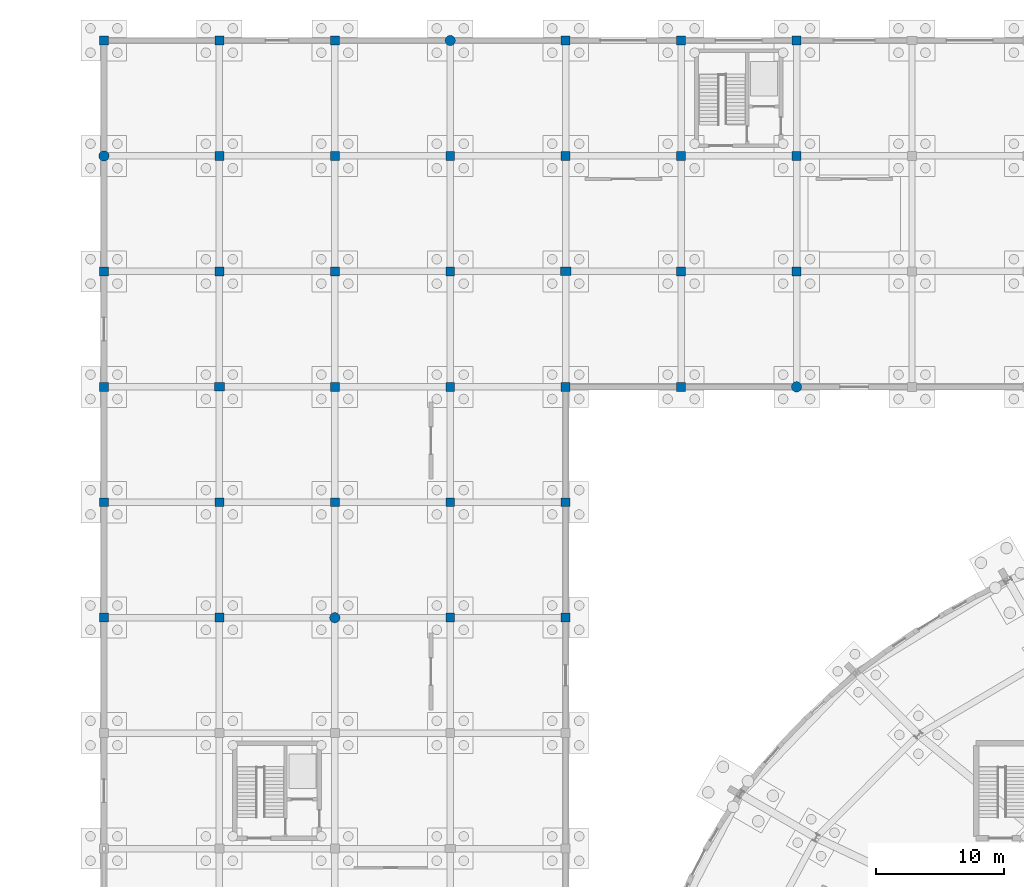
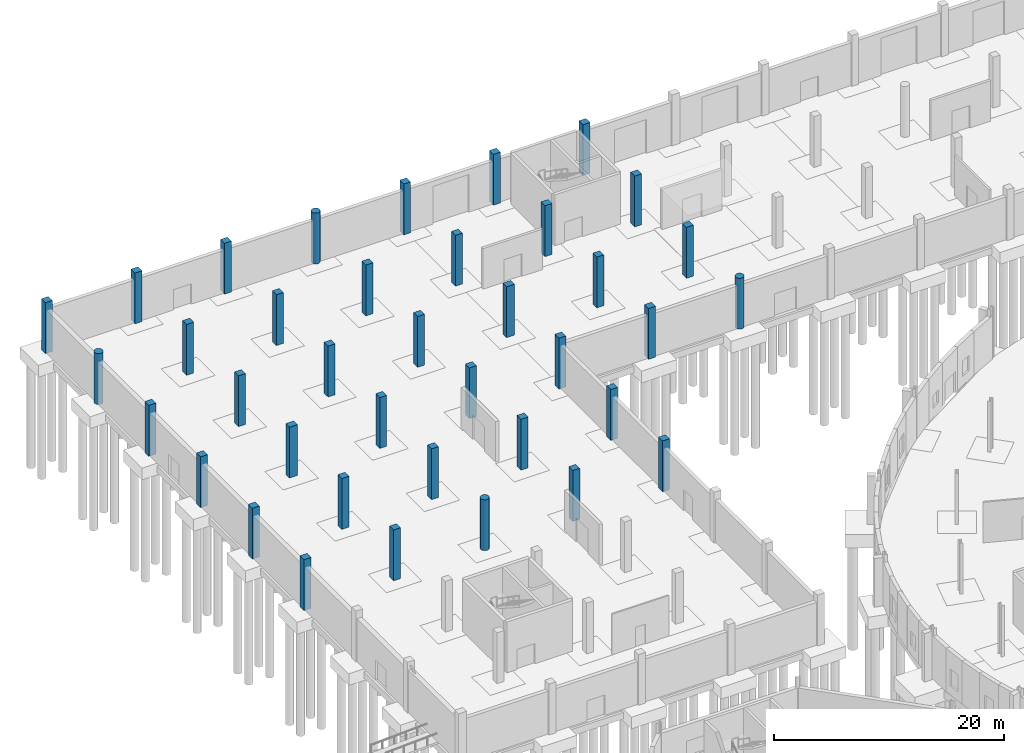
# One storey, part 44 of 118: 38 columns.
"""IFC4 building model written with IfcOpenShell, lengths in metres."""

from ifc_helpers import new_model, si_unit, direction, frame, origin, origin_2d, place, context, subcontext, project, spatial, rectangle, circle, extrude, material, material_profile, profile_set, type_object, element, save


model = new_model("IFC4")

# Units and contexts
model_context = context("Model", 3, precision=1e-05, world=origin(), true_north=direction((0.0, 1.0)))
body_context = subcontext(model_context, "Body", "Model", "MODEL_VIEW")
ifc_project = project(units=[si_unit("LENGTHUNIT", "METRE"), si_unit("AREAUNIT", "SQUARE_METRE"), si_unit("VOLUMEUNIT", "CUBIC_METRE"), si_unit("PLANEANGLEUNIT", "RADIAN"), si_unit("MASSUNIT", "GRAM", prefix="KILO")], contexts=[model_context])

# Site, building, storey
site_placement = place(None, origin())
site = spatial("IfcSite", under=ifc_project, at=site_placement, CompositionType="ELEMENT")
building_placement = place(site_placement, origin())
building = spatial("IfcBuilding", under=site, at=building_placement, Name="Kildeholm Park Wholesale Market", CompositionType="ELEMENT")
storey_placement = place(building_placement, origin())
storey = spatial("IfcBuildingStorey", under=building, at=storey_placement, Name="L00", CompositionType="ELEMENT", Elevation=0.0)

# Columns
ifc_material = material(Name="Concrete C40/50", Category="concrete")
ifc_material_profile_1 = material_profile(ifc_material, rectangle(XDim=0.699951171875, YDim=0.699951171875, at=origin_2d()), Name="RC 700x700")
ifc_profile_set_1 = profile_set([ifc_material_profile_1], Name="Concrete C40/50")
column_type_1 = type_object("IfcColumnType", Name="Column C-R03 RC 700x700", PredefinedType="COLUMN", material=ifc_profile_set_1)
for number, where, z_axis, x_axis, name in (
    (1, (0.0, 126.0, 0.0), (0.0, 0.0, 1.0), (1.0, 0.0, 0.0), "Column V4-000-126 L00 COL-0338"),
    (2, (0.0, 135.0, 0.0), (0.0, 0.0, 1.0), (1.0, 0.0, 0.0), "Column V4-000-135 L00 COL-0341"),
    (3, (0.0, 144.0, 0.0), (0.0, 0.0, 1.0), (1.0, 0.0, 0.0), "Column V4-000-144 L00 COL-0344"),
    (4, (0.0, 153.0, 0.0), (0.0, 0.0, 1.0), (1.0, 0.0, 0.0), "Column V4-000-153 L00 COL-0347"),
    (5, (0.0, 171.0, 0.0), (0.0, 0.0, 1.0), (1.0, 0.0, 0.0), "Column V4-000-171 L00 COL-0353"),
    (6, (9.0, 126.0, 0.0), (0.0, 0.0, 1.0), (1.0, 0.0, 0.0), "Column V4-009-126 L00 COL-0365"),
    (7, (9.0, 135.0, 0.0), (0.0, 0.0, 1.0), (1.0, 0.0, 0.0), "Column V4-009-135 L00 COL-0368"),
    (8, (9.0, 153.0, 0.0), (0.0, 0.0, 1.0), (1.0, 0.0, 0.0), "Column V4-009-153 L00 COL-0374"),
    (9, (9.0, 162.0, 0.0), (0.0, 0.0, 1.0), (1.0, 0.0, 0.0), "Column V4-009-162 L00 COL-0377"),
    (10, (9.0, 171.0, 0.0), (0.0, 0.0, 1.0), (1.0, 0.0, 0.0), "Column V4-009-171 L00 COL-0380"),
    (11, (18.0, 135.0, 0.0), (0.0, 0.0, 1.0), (1.0, 0.0, 0.0), "Column V4-018-135 L00 COL-0395"),
    (12, (18.0, 144.0, 0.0), (0.0, 0.0, 1.0), (1.0, 0.0, 0.0), "Column V4-018-144 L00 COL-0398"),
    (13, (18.0, 153.0, 0.0), (0.0, 0.0, 1.0), (1.0, 0.0, 0.0), "Column V4-018-153 L00 COL-0401"),
    (14, (18.0, 162.0, 0.0), (0.0, 0.0, 1.0), (1.0, 0.0, 0.0), "Column V4-018-162 L00 COL-0404"),
    (15, (18.0, 171.0, 0.0), (0.0, 0.0, 1.0), (1.0, 0.0, 0.0), "Column V4-018-171 L00 COL-0407"),
    (16, (27.0, 126.0, 0.0), (0.0, 0.0, 1.0), (1.0, 0.0, 0.0), "Column V4-027-126 L00 COL-0419"),
    (17, (27.0, 135.0, 0.0), (0.0, 0.0, 1.0), (1.0, 0.0, 0.0), "Column V4-027-135 L00 COL-0422"),
    (18, (27.0, 144.0, 0.0), (0.0, 0.0, 1.0), (1.0, 0.0, 0.0), "Column V4-027-144 L00 COL-0425"),
    (19, (27.0, 153.0, 0.0), (0.0, 0.0, 1.0), (1.0, 0.0, 0.0), "Column V4-027-153 L00 COL-0428"),
    (20, (27.0, 162.0, 0.0), (0.0, 0.0, 1.0), (1.0, 0.0, 0.0), "Column V4-027-162 L00 COL-0431"),
    (21, (36.0, 126.0, 0.0), (0.0, 0.0, 1.0), (1.0, 0.0, 0.0), "Column V4-036-126 L00 COL-0446"),
    (22, (36.0, 135.0, 0.0), (0.0, 0.0, 1.0), (1.0, 0.0, 0.0), "Column V4-036-135 L00 COL-0449"),
    (23, (36.0, 144.0, 0.0), (0.0, 0.0, 1.0), (1.0, 0.0, 0.0), "Column V4-036-144 L00 COL-0452"),
    (24, (36.0, 162.0, 0.0), (0.0, 0.0, 1.0), (1.0, 0.0, 0.0), "Column V4-036-162 L00 COL-0458"),
    (25, (36.0, 171.0, 0.0), (0.0, 0.0, 1.0), (1.0, 0.0, 0.0), "Column V4-036-171 L00 COL-0461"),
    (26, (45.0, 144.0, 0.0), (0.0, 0.0, 1.0), (1.0, 0.0, 0.0), "Column V4-045-144 L00 COL-0464"),
    (27, (45.0, 153.0, 0.0), (0.0, 0.0, 1.0), (1.0, 0.0, 0.0), "Column V4-045-153 L00 COL-0466"),
    (28, (45.0, 162.0, 0.0), (0.0, 0.0, 1.0), (1.0, 0.0, 0.0), "Column V4-045-162 L00 COL-0469"),
    (29, (45.0, 171.0, 0.0), (0.0, 0.0, 1.0), (1.0, 0.0, 0.0), "Column V4-045-171 L00 COL-0472"),
    (30, (54.0, 153.0, 0.0), (0.0, 0.0, 1.0), (1.0, 0.0, 0.0), "Column V4-054-153 L00 COL-0477"),
    (31, (54.0, 162.0, 0.0), (0.0, 0.0, 1.0), (1.0, 0.0, 0.0), "Column V4-054-162 L00 COL-0480"),
    (32, (54.0, 171.0, 0.0), (0.0, 0.0, 1.0), (1.0, 0.0, 0.0), "Column V4-054-171 L00 COL-0483"),
):
    element("IfcColumn", number, at=place(storey_placement, frame(where, z_axis=z_axis, x_axis=x_axis)), inside=storey, type_object=column_type_1, Name=name, PredefinedType="COLUMN", context=body_context, shape_type="SweptSolid", body=[
        extrude(rectangle(XDim=0.699951171875, YDim=0.699951171875, at=origin_2d()), origin(), (0.0, 0.0, 1.0), 5.39990234375),
    ])
ifc_material_profile_2 = material_profile(ifc_material, rectangle(XDim=0.800048828125, YDim=0.64990234375, at=origin_2d()), Name="RC 800x650")
ifc_profile_set_2 = profile_set([ifc_material_profile_2], Name="Concrete C40/50")
column_type_2 = type_object("IfcColumnType", Name="Column C-R04 RC 800x650", PredefinedType="COLUMN", material=ifc_profile_set_2)
for number, where, z_axis, x_axis, name in (
    (33, (9.0, 144.0, 0.0), (0.0, 0.0, 1.0), (1.0, 0.0, 0.0), "Column V4-009-144 L00 COL-0371"),
    (34, (36.0, 153.0, 0.0), (0.0, 0.0, 1.0), (1.0, 0.0, 0.0), "Column V4-036-153 L00 COL-0455"),
):
    element("IfcColumn", number, at=place(storey_placement, frame(where, z_axis=z_axis, x_axis=x_axis)), inside=storey, type_object=column_type_2, Name=name, PredefinedType="COLUMN", context=body_context, shape_type="SweptSolid", body=[
        extrude(rectangle(XDim=0.800048828125, YDim=0.64990234375, at=origin_2d()), origin(), (0.0, 0.0, 1.0), 5.39990234375),
    ])
ifc_material_profile_3 = material_profile(ifc_material, circle(Radius=0.39990234375, at=origin_2d()), Name="RC D800")
ifc_profile_set_3 = profile_set([ifc_material_profile_3], Name="Concrete C40/50")
column_type_3 = type_object("IfcColumnType", Name="Column C-R05 RC D800", PredefinedType="COLUMN", material=ifc_profile_set_3)
for number, where, z_axis, x_axis, name in (
    (35, (0.0, 162.0, 0.0), (0.0, 0.0, 1.0), (1.0, 0.0, 0.0), "Column V4-000-162 L00 COL-0350"),
    (36, (18.0, 126.0, 0.0), (0.0, 0.0, 1.0), (1.0, 0.0, 0.0), "Column V4-018-126 L00 COL-0392"),
    (37, (27.0, 171.0, 0.0), (0.0, 0.0, 1.0), (1.0, 0.0, 0.0), "Column V4-027-171 L00 COL-0434"),
    (38, (54.0, 144.0, 0.0), (0.0, 0.0, 1.0), (1.0, 0.0, 0.0), "Column V4-054-144 L00 COL-0475"),
):
    element("IfcColumn", number, at=place(storey_placement, frame(where, z_axis=z_axis, x_axis=x_axis)), inside=storey, type_object=column_type_3, Name=name, PredefinedType="COLUMN", context=body_context, shape_type="SweptSolid", body=[
        extrude(circle(Radius=0.39990234375, at=origin_2d()), origin(), (0.0, 0.0, 1.0), 5.39990234375),
    ])

save(model, "model.ifc")
